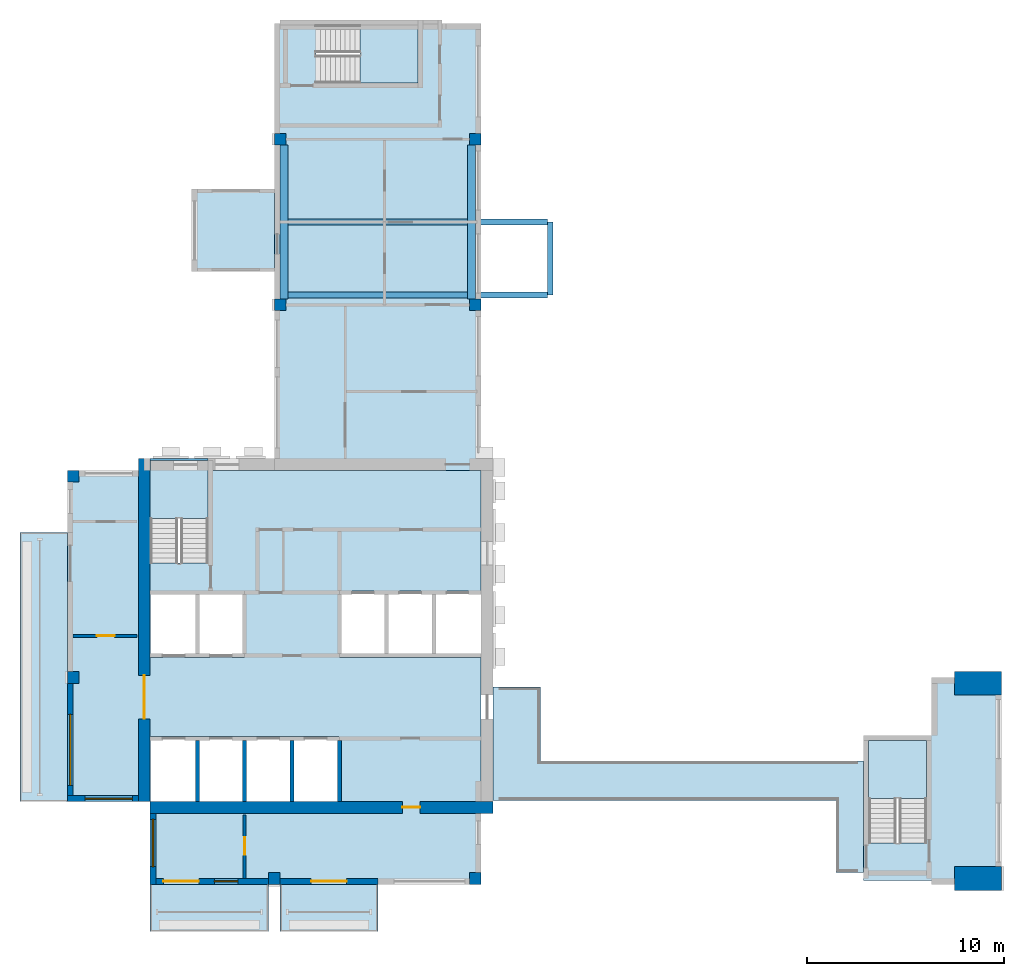
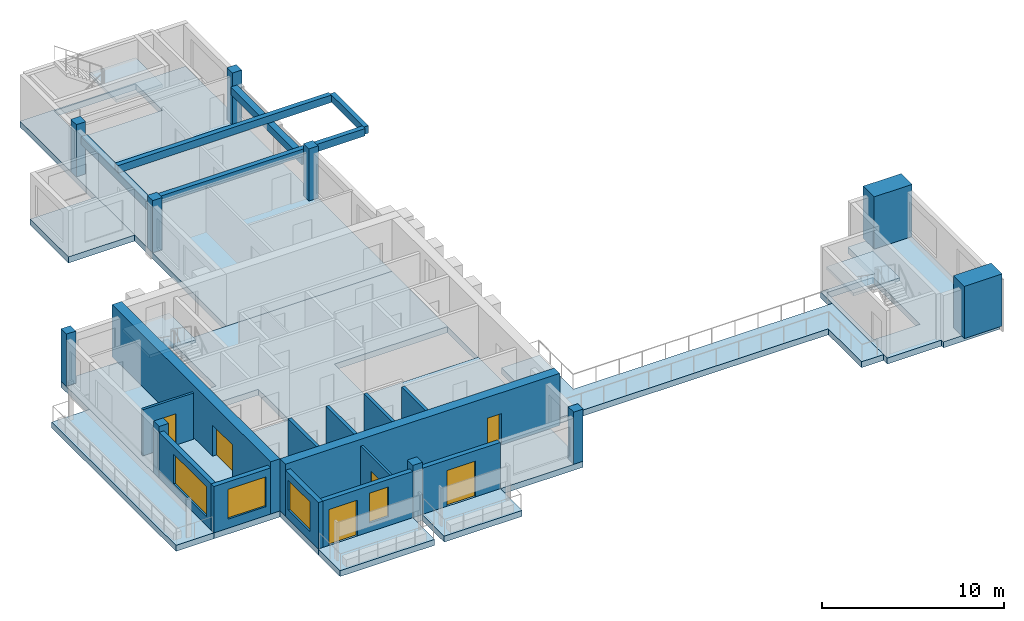
# One storey, part 1 of 8: 13 walls, 12 slabs, 10 columns, 6 doors, 5 beams, 4 windows, 10 openings, 3 elements without a shape of their own.
"""IFC4 building model written with IfcOpenShell, lengths in metres."""

from ifc_helpers import new_model, si_unit, direction, frame, frame_2d, origin, origin_2d, place, context, subcontext, project, spatial, polyline, rectangle, outline, extrude, source, transform, mapped, material, layer, layer_set, material_profile, profile_set, type_object, element, fill, aggregate, save


model = new_model("IFC4")

# Units and contexts
model_context = context("Model", 3, precision=1e-05, world=origin(), true_north=direction((0.0, 1.0)))
body_context = subcontext(model_context, "Body", "Model", "MODEL_VIEW")
ifc_project = project(units=[si_unit("LENGTHUNIT", "METRE"), si_unit("AREAUNIT", "SQUARE_METRE"), si_unit("VOLUMEUNIT", "CUBIC_METRE"), si_unit("PLANEANGLEUNIT", "RADIAN"), si_unit("MASSUNIT", "GRAM", prefix="KILO")], contexts=[model_context])

# Site, building, storey
site_placement = place(None, origin())
site = spatial("IfcSite", under=ifc_project, at=site_placement, CompositionType="ELEMENT")
building_placement = place(site_placement, origin())
building = spatial("IfcBuilding", under=site, at=building_placement, Name="Aurelian Terraces", CompositionType="ELEMENT")
storey_placement = place(building_placement, frame((0.0, 0.0, 347.5)))
storey = spatial("IfcBuildingStorey", under=building, at=storey_placement, Name="L82", CompositionType="ELEMENT", Elevation=347.5)

# Columns
ifc_material_1 = material(Name="Concrete fc' 55 MPa", Category="concrete")
ifc_material_profile_1 = material_profile(ifc_material_1, rectangle(XDim=0.6, YDim=0.6, at=origin_2d()))
ifc_profile_set_1 = profile_set([ifc_material_profile_1], Name="Concrete fc' 55 MPa")
column_type_1 = type_object("IfcColumnType", Name="RC COLUMN 600X600 FC55", PredefinedType="COLUMN", material=ifc_profile_set_1)
shared_shape_1 = source(origin(), body_context, "Body", "SweptSolid", [
    extrude(rectangle(XDim=0.6, YDim=0.6, at=origin_2d()), origin(), (0.0, 0.0, 1.0), 3.5),
])
for number, where, z_axis, x_axis, name in (
    (1, (10.5, 0.3, 0.0), (0.0, 0.0, 1.0), (1.0, 0.0, 0.0), "Column 2/A L82"),
    (2, (20.7, 0.3, 0.0), (0.0, 0.0, 1.0), (1.0, 0.0, 0.0), "Column 3/A L82"),
    (3, (0.3, 10.5, 0.0), (0.0, 0.0, 1.0), (1.0, 0.0, 0.0), "Column 1/B L82"),
    (4, (0.3, 20.7, 0.0), (0.0, 0.0, 1.0), (1.0, 0.0, 0.0), "Column 1/C L82"),
    (5, (10.8, 29.4, 0.0), (0.0, 0.0, 1.0), (1.0, 0.0, 0.0), "Column 2/D L82"),
    (6, (20.7, 29.4, 0.0), (0.0, 0.0, 1.0), (1.0, 0.0, 0.0), "Column 3/D L82"),
    (7, (10.8, 37.8, 0.0), (0.0, 0.0, 1.0), (1.0, 0.0, 0.0), "Column 2/E L82"),
    (8, (20.7, 37.8, 0.0), (0.0, 0.0, 1.0), (1.0, 0.0, 0.0), "Column 3/E L82"),
):
    element("IfcColumn", number, at=place(storey_placement, frame(where, z_axis=z_axis, x_axis=x_axis)), inside=storey, type_object=column_type_1, Name=name, PredefinedType="COLUMN", context=body_context, shape_type="MappedRepresentation", body=[
        mapped(shared_shape_1, transform((0.0, 0.0, 0.0), scale=1.0)),
    ])
ifc_material_profile_2 = material_profile(ifc_material_1, rectangle(XDim=2.4, YDim=1.2, at=origin_2d()))
ifc_profile_set_2 = profile_set([ifc_material_profile_2], Name="Concrete fc' 55 MPa")
column_type_2 = type_object("IfcColumnType", Name="Portal jamb pilaster 2400x1200", PredefinedType="PILASTER", material=ifc_profile_set_2)
shared_shape_2 = source(origin(), body_context, "Body", "SweptSolid", [
    extrude(rectangle(XDim=2.4, YDim=1.2, at=origin_2d()), origin(), (0.0, 0.0, 1.0), 3.5),
])
for number, where, z_axis, x_axis, name in (
    (9, (46.2, 0.3, 0.0), (0.0, 0.0, 1.0), (1.0, 0.0, 0.0), "Column 6/A L82"),
    (10, (46.2, 10.2, 0.0), (0.0, 0.0, 1.0), (1.0, 0.0, 0.0), "Column 6/B L82"),
):
    element("IfcColumn", number, at=place(storey_placement, frame(where, z_axis=z_axis, x_axis=x_axis)), inside=storey, type_object=column_type_2, Name=name, PredefinedType="PILASTER", context=body_context, shape_type="MappedRepresentation", body=[
        mapped(shared_shape_2, transform((0.0, 0.0, 0.0), scale=1.0)),
    ])

# Beams
ifc_material_2 = material(Name="Concrete fc' 40 MPa", Category="concrete")
ifc_material_profile_3 = material_profile(ifc_material_2, rectangle(XDim=0.3, YDim=0.5, at=origin_2d()))
ifc_profile_set_3 = profile_set([ifc_material_profile_3], Name="Concrete fc' 40 MPa")
beam_type_1 = type_object("IfcBeamType", Name="CONCRETE CANTILEVER BEAM 300X500", PredefinedType="BEAM", material=ifc_profile_set_3)
beam_placement = place(storey_placement, frame((24.5, 29.9, 2.85), z_axis=(0.0, 1.0, 0.0), x_axis=(-1.0, 0.0, 0.0)))
element("IfcBeam", 11, at=beam_placement, inside=storey, type_object=beam_type_1, Name="Box tip beam J96", PredefinedType="BEAM", context=body_context, shape_type="SweptSolid", body=[
    extrude(rectangle(XDim=0.3, YDim=0.5, at=origin_2d()), origin(), (0.0, 0.0, 1.0), 3.7),
])
shared_shape_3 = source(origin(), body_context, "Body", "SweptSolid", [
    extrude(rectangle(XDim=0.3, YDim=0.5, at=origin_2d()), origin(), (0.0, 0.0, 1.0), 13.55),
])
for number, where, z_axis, x_axis, name in (
    (12, (24.35, 29.9, 2.85), (-1.0, 0.0, 0.0), (0.0, -1.0, 0.0), "Box cantilever beam J96.1"),
    (13, (24.35, 33.6, 2.85), (-1.0, 0.0, 0.0), (0.0, -1.0, 0.0), "Box cantilever beam J96.2"),
):
    element("IfcBeam", number, at=place(storey_placement, frame(where, z_axis=z_axis, x_axis=x_axis)), inside=storey, type_object=beam_type_1, Name=name, PredefinedType="BEAM", context=body_context, shape_type="MappedRepresentation", body=[
        mapped(shared_shape_3, transform((0.0, 0.0, 0.0), scale=1.0)),
    ])
ifc_material_profile_4 = material_profile(ifc_material_2, rectangle(XDim=0.4, YDim=0.5, at=origin_2d()))
ifc_profile_set_4 = profile_set([ifc_material_profile_4], Name="Concrete fc' 40 MPa")
beam_type_2 = type_object("IfcBeamType", Name="CONCRETE EDGE GIRDER 400X500", PredefinedType="BEAM", material=ifc_profile_set_4)
shared_shape_4 = source(origin(), body_context, "Body", "SweptSolid", [
    extrude(rectangle(XDim=0.4, YDim=0.5, at=origin_2d()), origin(), (0.0, 0.0, 1.0), 7.8),
])
for number, where, z_axis, x_axis, name in (
    (14, (20.5, 29.7, 2.35), (0.0, 1.0, 0.0), (-1.0, 0.0, 0.0), "Box girder L82 O185"),
    (15, (11.0, 29.7, 2.35), (0.0, 1.0, 0.0), (-1.0, 0.0, 0.0), "Box girder L82 I186"),
):
    element("IfcBeam", number, at=place(storey_placement, frame(where, z_axis=z_axis, x_axis=x_axis)), inside=storey, type_object=beam_type_2, Name=name, PredefinedType="BEAM", context=body_context, shape_type="MappedRepresentation", body=[
        mapped(shared_shape_4, transform((0.0, 0.0, 0.0), scale=1.0)),
    ])

# Slabs
ifc_layer_1 = layer(ifc_material_2, 0.4)
ifc_layer_set_1 = layer_set([ifc_layer_1], Name="Balcony slab 400")
slab_type_1 = type_object("IfcSlabType", Name="Balcony slab 400", PredefinedType="NOTDEFINED", material=ifc_layer_set_1)
slab_1_placement = place(storey_placement, frame((0.0, 0.0, -0.4)))
element("IfcSlab", 16, at=slab_1_placement, inside=storey, type_object=slab_type_1, Name="Balcony slab L82 F01.2", PredefinedType="NOTDEFINED", context=body_context, shape_type="SweptSolid", body=[
    extrude(outline(polyline([(10.8, 0.0), (15.75, 0.0), (15.75, -2.4), (10.8, -2.4), (10.8, 0.0)])), origin(), (0.0, 0.0, 1.0), 0.4),
])
ifc_layer_2 = layer(ifc_material_2, 0.4001)
ifc_layer_set_2 = layer_set([ifc_layer_2], Name="Terrace slab 400")
slab_type_2 = type_object("IfcSlabType", Name="Terrace slab 400", PredefinedType="NOTDEFINED", material=ifc_layer_set_2)
slab_2_placement = place(storey_placement, frame((0.0, 0.0, -0.4001)))
element("IfcSlab", 17, at=slab_2_placement, inside=storey, type_object=slab_type_2, Name="Sky bridge L82 PORTAL-B82", PredefinedType="NOTDEFINED", context=body_context, shape_type="SweptSolid", body=[
    extrude(outline(polyline([(40.4, 0.6), (39.0, 0.6), (39.0, 4.25), (24.0, 4.25), (21.6, 4.25), (21.6, 6.25), (21.6, 10.0), (24.0, 10.0), (24.0, 6.25), (39.0, 6.25), (40.4, 6.25), (40.4, 4.25), (40.4, 0.6)])), origin(), (0.0, 0.0, 1.0), 0.4001),
])
ifc_layer_3 = layer(ifc_material_2, 0.4)
ifc_layer_set_3 = layer_set([ifc_layer_3], Name="PT FLAT PLATE 400")
slab_type_3 = type_object("IfcSlabType", Name="PT FLAT PLATE 400", PredefinedType="FLOOR", material=ifc_layer_set_3)
shared_shape_5 = source(origin(), body_context, "Body", "SweptSolid", [
    extrude(outline(polyline([(10.5, 43.68), (14.7, 43.68), (16.8, 43.68), (21.0, 43.68), (21.0, 21.0), (10.5, 21.0), (10.5, 43.68)]), holes=[polyline([(17.79, 43.59), (12.61, 43.59), (12.61, 40.66), (17.79, 40.66), (17.79, 43.59)])]), origin(), (0.0, 0.0, 1.0), 0.4),
])
slab_3_placement = place(storey_placement, frame((0.0, 0.0, -0.4)))
element("IfcSlab", 18, at=slab_3_placement, inside=storey, type_object=slab_type_3, Name="Floor slab W L82", PredefinedType="FLOOR", context=body_context, shape_type="MappedRepresentation", body=[
    mapped(shared_shape_5, transform((0.0, 0.0, 0.0), scale=1.0)),
])
shared_shape_6 = source(origin(), body_context, "Body", "SweptSolid", [
    extrude(outline(polyline([(4.2, 21.0), (4.2, 21.6), (7.15, 21.6), (7.15, 21.0), (7.14, 21.0), (7.14, 21.49), (4.21, 21.49), (4.21, 21.0), (4.2, 21.0)])), origin(), (0.0, 0.0, 1.0), 0.4),
])
slab_4_placement = place(storey_placement, frame((0.0, 0.0, -0.4)))
element("IfcSlab", 19, at=slab_4_placement, inside=storey, type_object=slab_type_3, Name="Floor slab W2 L82", PredefinedType="FLOOR", context=body_context, shape_type="MappedRepresentation", body=[
    mapped(shared_shape_6, transform((0.0, 0.0, 0.0), scale=1.0)),
])
shared_shape_7 = source(origin(), body_context, "Body", "SweptSolid", [
    extrude(outline(polyline([(0.0, 4.2), (0.0, 10.5), (0.0, 21.0), (4.21, 21.0), (4.21, 16.31), (7.14, 16.31), (7.14, 21.0), (21.0, 21.0), (21.0, 10.5), (21.0, 0.0), (4.2, 0.0), (4.2, 4.2), (0.0, 4.2)]), holes=[polyline([(13.81, 14.89), (13.81, 11.51), (20.99, 11.51), (20.99, 14.89), (13.81, 14.89)]), polyline([(4.21, 7.49), (4.21, 4.21), (13.79, 4.21), (13.79, 7.49), (4.21, 7.49)]), polyline([(8.99, 11.51), (8.99, 14.89), (4.21, 14.89), (4.21, 11.51), (8.99, 11.51)])]), origin(), (0.0, 0.0, 1.0), 0.4),
])
slab_5_placement = place(storey_placement, frame((0.0, 0.0, -0.4)))
element("IfcSlab", 20, at=slab_5_placement, inside=storey, type_object=slab_type_3, Name="Floor slab S L82", PredefinedType="FLOOR", context=body_context, shape_type="MappedRepresentation", body=[
    mapped(shared_shape_7, transform((0.0, 0.0, 0.0), scale=1.0)),
])
shared_shape_8 = source(origin(), body_context, "Body", "SweptSolid", [
    extrude(outline(polyline([(43.85, 7.55), (43.85, 10.5), (47.4, 10.5), (47.4, 0.0), (43.85, 0.0), (43.85, 0.2), (40.4, 0.2), (40.4, 7.55), (43.85, 7.55)]), holes=[polyline([(40.66, 2.11), (43.59, 2.11), (43.59, 7.29), (40.66, 7.29), (40.66, 2.11)])]), origin(), (0.0, 0.0, 1.0), 0.4),
])
slab_6_placement = place(storey_placement, frame((0.0, 0.0, -0.4)))
element("IfcSlab", 21, at=slab_6_placement, inside=storey, type_object=slab_type_3, Name="Floor slab S2 L82", PredefinedType="FLOOR", context=body_context, shape_type="MappedRepresentation", body=[
    mapped(shared_shape_8, transform((0.0, 0.0, 0.0), scale=1.0)),
])
shared_shape_9 = source(origin(), body_context, "Body", "SweptSolid", [
    extrude(outline(polyline([(0.0, 17.85), (0.0, 4.2), (-2.4, 4.2), (-2.4, 17.85), (0.0, 17.85)])), origin(), (0.0, 0.0, 1.0), 0.4),
])
slab_7_placement = place(storey_placement, frame((0.0, 0.0, -0.4)))
element("IfcSlab", 22, at=slab_7_placement, inside=storey, type_object=slab_type_1, Name="Balcony slab L82 F10.18", PredefinedType="NOTDEFINED", context=body_context, shape_type="MappedRepresentation", body=[
    mapped(shared_shape_9, transform((0.0, 0.0, 0.0), scale=1.0)),
])
ifc_layer_4 = layer(ifc_material_2, 0.41)
ifc_layer_set_4 = layer_set([ifc_layer_4], Name="Box floor 410")
slab_type_4 = type_object("IfcSlabType", Name="Box floor 410", PredefinedType="NOTDEFINED", material=ifc_layer_set_4)
shared_shape_10 = source(origin(), body_context, "Body", "SweptSolid", [
    extrude(outline(polyline([(6.3, 35.28), (6.3, 31.08), (10.5, 31.08), (10.5, 35.28), (6.3, 35.28)])), origin(), (0.0, 0.0, 1.0), 0.41),
])
slab_8_placement = place(storey_placement, frame((0.0, 0.0, -0.41)))
element("IfcSlab", 23, at=slab_8_placement, inside=storey, type_object=slab_type_4, Name="Box floor L82 J95", PredefinedType="NOTDEFINED", context=body_context, shape_type="MappedRepresentation", body=[
    mapped(shared_shape_10, transform((0.0, 0.0, 0.0), scale=1.0)),
])
shared_shape_11 = source(origin(), body_context, "Body", "SweptSolid", [
    extrude(outline(polyline([(4.2, 0.0), (10.2, 0.0), (10.2, -2.4), (4.2, -2.4), (4.2, 0.0)])), origin(), (0.0, 0.0, 1.0), 0.4),
])
slab_9_placement = place(storey_placement, frame((0.0, 0.0, -0.4)))
element("IfcSlab", 24, at=slab_9_placement, inside=storey, type_object=slab_type_1, Name="Balcony slab L82 F01.1", PredefinedType="NOTDEFINED", context=body_context, shape_type="MappedRepresentation", body=[
    mapped(shared_shape_11, transform((0.0, 0.0, 0.0), scale=1.0)),
])

# Stair, slab
stair_type = type_object("IfcStairType", Name="Stair 1400", PredefinedType="HALF_TURN_STAIR", material=ifc_material_2)
stair_1_placement = place(storey_placement, origin())
stair_1 = element("IfcStair", 25, at=stair_1_placement, inside=storey, type_object=stair_type, Name="L82 S1", PredefinedType="HALF_TURN_STAIR")
ifc_layer_5 = layer(ifc_material_2, 0.2)
ifc_layer_set_5 = layer_set([ifc_layer_5], Name="Stair landing 200")
slab_type_5 = type_object("IfcSlabType", Name="Stair landing 200", PredefinedType="LANDING", material=ifc_layer_set_5)
shared_shape_12 = source(origin(), body_context, "Body", "SweptSolid", [
    extrude(outline(polyline([(7.15, 18.55), (7.15, 21.5), (4.2, 21.5), (4.2, 18.55), (7.15, 18.55)])), origin(), (0.0, 0.0, 1.0), 0.2),
])
slab_10_placement = place(storey_placement, frame((0.0, 0.0, 1.55)))
slab_10 = element("IfcSlab", 26, at=slab_10_placement, type_object=slab_type_5, Name="S1 landing 1", PredefinedType="LANDING", context=body_context, shape_type="MappedRepresentation", body=[
    mapped(shared_shape_12, transform((0.0, 0.0, 0.0), scale=1.0)),
])
aggregate(stair_1, [slab_10])

stair_2_placement = place(storey_placement, origin())
stair_2 = element("IfcStair", 27, at=stair_2_placement, inside=storey, type_object=stair_type, Name="L82 S2", PredefinedType="HALF_TURN_STAIR")
shared_shape_13 = source(origin(), body_context, "Body", "SweptSolid", [
    extrude(outline(polyline([(43.6, 4.35), (43.6, 7.3), (40.65, 7.3), (40.65, 4.35), (43.6, 4.35)])), origin(), (0.0, 0.0, 1.0), 0.2),
])
slab_11_placement = place(storey_placement, frame((0.0, 0.0, 1.55)))
slab_11 = element("IfcSlab", 28, at=slab_11_placement, type_object=slab_type_5, Name="S2 landing 1", PredefinedType="LANDING", context=body_context, shape_type="MappedRepresentation", body=[
    mapped(shared_shape_13, transform((0.0, 0.0, 0.0), scale=1.0)),
])
aggregate(stair_2, [slab_11])

stair_3_placement = place(storey_placement, origin())
stair_3 = element("IfcStair", 29, at=stair_3_placement, inside=storey, type_object=stair_type, Name="L82 S3U", PredefinedType="HALF_TURN_STAIR")
shared_shape_14 = source(origin(), body_context, "Body", "SweptSolid", [
    extrude(outline(polyline([(14.85, 40.65), (17.8, 40.65), (17.8, 43.6), (14.85, 43.6), (14.85, 40.65)])), origin(), (0.0, 0.0, 1.0), 0.2),
])
slab_12_placement = place(storey_placement, frame((0.0, 0.0, 1.55)))
slab_12 = element("IfcSlab", 30, at=slab_12_placement, type_object=slab_type_5, Name="S3U landing 1", PredefinedType="LANDING", context=body_context, shape_type="MappedRepresentation", body=[
    mapped(shared_shape_14, transform((0.0, 0.0, 0.0), scale=1.0)),
])
aggregate(stair_3, [slab_12])

# Wall, opening, door
ifc_material_3 = material(Name="Terracotta rainscreen cladding", Category="masonry")
ifc_layer_6 = layer(ifc_material_3, 0.3)
ifc_layer_set_6 = layer_set([ifc_layer_6], Name="EW-300")
wall_type_1 = type_object("IfcWallType", Name="EW-300", PredefinedType="STANDARD", material=ifc_layer_set_6)
wall_1_placement = place(storey_placement, frame((10.8, 0.15, 0.0), z_axis=(0.0, 0.0, 1.0), x_axis=(1.0, 0.0, 0.0)))
wall_1 = element("IfcWall", 31, at=wall_1_placement, inside=storey, type_object=wall_type_1, Name="External wall L82 F01.2", PredefinedType="STANDARD", context=body_context, shape_type="SweptSolid", body=[
    extrude(rectangle(XDim=4.95, YDim=0.3, at=frame_2d((2.475, 0.0))), origin(), (0.0, 0.0, 1.0), 3.1),
])
shared_shape_15 = source(origin(), body_context, "Body", "SweptSolid", [
    extrude(rectangle(XDim=1.8, YDim=2.4, at=frame_2d((0.9, 1.2))), frame((0.0, 0.16, 0.0), z_axis=(0.0, -1.0, 0.0), x_axis=(1.0, 0.0, 0.0)), (0.0, 0.0, 1.0), 0.32),
])
opening_1_placement = place(wall_1_placement, frame((1.575, 0.0, 0.0)))
opening_1 = element("IfcOpeningElement", 32, at=opening_1_placement, cuts=wall_1, Name="Opening 88202", PredefinedType="OPENING", context=body_context, shape_type="MappedRepresentation", body=[
    mapped(shared_shape_15, transform((0.0, 0.0, 0.0), scale=1.0)),
])
ifc_material_4 = material(Name="Clear glazing", Category="glass")
door_type_1 = type_object("IfcDoorType", Name="BD-1800x2400", OperationType="SLIDING_TO_LEFT", PredefinedType="DOOR", material=ifc_material_4)
shared_shape_16 = source(origin(), body_context, "Body", "SweptSolid", [
    extrude(rectangle(XDim=1.8, YDim=2.4, at=frame_2d((0.9, 1.2))), frame((0.0, 0.025, 0.0), z_axis=(0.0, -1.0, 0.0), x_axis=(1.0, 0.0, 0.0)), (0.0, 0.0, 1.0), 0.05),
])
door_1_placement = place(opening_1_placement, origin())
door_1 = element("IfcDoor", 33, at=door_1_placement, inside=storey, type_object=door_type_1, Name="Balcony door L82 F01.2", OperationType="SLIDING_TO_LEFT", OverallHeight=2.4, OverallWidth=1.8, PredefinedType="DOOR", context=body_context, shape_type="MappedRepresentation", body=[
    mapped(shared_shape_16, transform((0.0, 0.0, 0.0), scale=1.0)),
])
fill(opening_1, door_1)

ifc_layer_7 = layer(ifc_material_1, 0.6)
ifc_layer_set_7 = layer_set([ifc_layer_7], Name="CORE WALL 600 FC55")
wall_type_2 = type_object("IfcWallType", Name="CORE WALL 600 FC55", PredefinedType="SHEAR", material=ifc_layer_set_7)
shared_shape_17 = source(origin(), body_context, "Body", "SweptSolid", [
    extrude(rectangle(XDim=17.4, YDim=0.6, at=frame_2d((8.7, 0.0))), origin(), (0.0, 0.0, 1.0), 3.5),
])
wall_2_placement = place(storey_placement, frame((3.9, 4.2, 0.0), z_axis=(0.0, 0.0, 1.0), x_axis=(0.0, 1.0, 0.0)))
wall_2 = element("IfcWall", 34, at=wall_2_placement, inside=storey, type_object=wall_type_2, Name="Core wall W L82", PredefinedType="SHEAR", context=body_context, shape_type="MappedRepresentation", body=[
    mapped(shared_shape_17, transform((0.0, 0.0, 0.0), scale=1.0)),
])
shared_shape_18 = source(origin(), body_context, "Body", "SweptSolid", [
    extrude(rectangle(XDim=2.2, YDim=2.1, at=frame_2d((1.1, 1.05))), frame((0.0, 0.31, 0.0), z_axis=(0.0, -1.0, 0.0), x_axis=(1.0, 0.0, 0.0)), (0.0, 0.0, 1.0), 0.62),
])
opening_2_placement = place(wall_2_placement, frame((4.2, 0.0, 0.0)))
opening_2 = element("IfcOpeningElement", 35, at=opening_2_placement, cuts=wall_2, Name="Opening 68521", PredefinedType="OPENING", context=body_context, shape_type="MappedRepresentation", body=[
    mapped(shared_shape_18, transform((0.0, 0.0, 0.0), scale=1.0)),
])
ifc_material_5 = material(Name="Steel door leaf", Category="steel")
door_type_2 = type_object("IfcDoorType", Name="Core double door 2200x2100", OperationType="DOUBLE_DOOR_SINGLE_SWING", PredefinedType="DOOR", material=ifc_material_5)
shared_shape_19 = source(origin(), body_context, "Body", "SweptSolid", [
    extrude(rectangle(XDim=2.2, YDim=2.1, at=frame_2d((1.1, 1.05))), frame((0.0, 0.025, 0.0), z_axis=(0.0, -1.0, 0.0), x_axis=(1.0, 0.0, 0.0)), (0.0, 0.0, 1.0), 0.05),
])
door_2_placement = place(opening_2_placement, origin())
door_2 = element("IfcDoor", 36, at=door_2_placement, inside=storey, type_object=door_type_2, Name="Core door 68521", OperationType="DOUBLE_DOOR_SINGLE_SWING", OverallHeight=2.1, OverallWidth=2.2, PredefinedType="DOOR", context=body_context, shape_type="MappedRepresentation", body=[
    mapped(shared_shape_19, transform((0.0, 0.0, 0.0), scale=1.0)),
])
fill(opening_2, door_2)

wall_3_placement = place(storey_placement, frame((4.2, 3.9, 0.0), z_axis=(0.0, 0.0, 1.0), x_axis=(1.0, 0.0, 0.0)))
wall_3 = element("IfcWall", 37, at=wall_3_placement, inside=storey, type_object=wall_type_2, Name="Core wall S L82", PredefinedType="SHEAR", context=body_context, shape_type="MappedRepresentation", body=[
    mapped(shared_shape_17, transform((0.0, 0.0, 0.0), scale=1.0)),
])
shared_shape_20 = source(origin(), body_context, "Body", "SweptSolid", [
    extrude(rectangle(XDim=0.9, YDim=2.1, at=frame_2d((0.45, 1.05))), frame((0.0, 0.31, 0.0), z_axis=(0.0, -1.0, 0.0), x_axis=(1.0, 0.0, 0.0)), (0.0, 0.0, 1.0), 0.62),
])
opening_3_placement = place(wall_3_placement, frame((12.8, 0.0, 0.0)))
opening_3 = element("IfcOpeningElement", 38, at=opening_3_placement, cuts=wall_3, Name="Opening 68524", PredefinedType="OPENING", context=body_context, shape_type="MappedRepresentation", body=[
    mapped(shared_shape_20, transform((0.0, 0.0, 0.0), scale=1.0)),
])
door_type_3 = type_object("IfcDoorType", Name="Core service door 900x2100", OperationType="SINGLE_SWING_LEFT", PredefinedType="DOOR", material=ifc_material_5)
shared_shape_21 = source(origin(), body_context, "Body", "SweptSolid", [
    extrude(rectangle(XDim=0.9, YDim=2.1, at=frame_2d((0.45, 1.05))), frame((0.0, 0.025, 0.0), z_axis=(0.0, -1.0, 0.0), x_axis=(1.0, 0.0, 0.0)), (0.0, 0.0, 1.0), 0.05),
])
door_3_placement = place(opening_3_placement, origin())
door_3 = element("IfcDoor", 39, at=door_3_placement, inside=storey, type_object=door_type_3, Name="Core door 68524", OperationType="SINGLE_SWING_LEFT", OverallHeight=2.1, OverallWidth=0.9, PredefinedType="DOOR", context=body_context, shape_type="MappedRepresentation", body=[
    mapped(shared_shape_21, transform((0.0, 0.0, 0.0), scale=1.0)),
])
fill(opening_3, door_3)

# Wall, opening, window
shared_shape_22 = source(origin(), body_context, "Body", "SweptSolid", [
    extrude(rectangle(XDim=3.6, YDim=0.3, at=frame_2d((1.8, 0.0))), origin(), (0.0, 0.0, 1.0), 3.1),
])
wall_4_placement = place(storey_placement, frame((0.0, 4.35, 0.0), z_axis=(0.0, 0.0, 1.0), x_axis=(1.0, 0.0, 0.0)))
wall_4 = element("IfcWall", 40, at=wall_4_placement, inside=storey, type_object=wall_type_1, Name="External wall L82 F11.19", PredefinedType="STANDARD", context=body_context, shape_type="MappedRepresentation", body=[
    mapped(shared_shape_22, transform((0.0, 0.0, 0.0), scale=1.0)),
])
shared_shape_23 = source(origin(), body_context, "Body", "SweptSolid", [
    extrude(rectangle(XDim=2.4, YDim=2.0, at=frame_2d((1.2, 1.0))), frame((0.0, 0.16, 0.0), z_axis=(0.0, -1.0, 0.0), x_axis=(1.0, 0.0, 0.0)), (0.0, 0.0, 1.0), 0.32),
])
opening_4_placement = place(wall_4_placement, frame((0.9, 0.0, 0.6)))
opening_4 = element("IfcOpeningElement", 41, at=opening_4_placement, cuts=wall_4, Name="Opening W2420", PredefinedType="OPENING", context=body_context, shape_type="MappedRepresentation", body=[
    mapped(shared_shape_23, transform((0.0, 0.0, 0.0), scale=1.0)),
])
window_type_1 = type_object("IfcWindowType", Name="W-2400x2000", PartitioningType="SINGLE_PANEL", PredefinedType="WINDOW", material=ifc_material_4)
shared_shape_24 = source(origin(), body_context, "Body", "SweptSolid", [
    extrude(rectangle(XDim=2.4, YDim=2.0, at=frame_2d((1.2, 1.0))), frame((0.0, 0.03, 0.0), z_axis=(0.0, -1.0, 0.0), x_axis=(1.0, 0.0, 0.0)), (0.0, 0.0, 1.0), 0.06),
])
window_1_placement = place(opening_4_placement, origin())
window_1 = element("IfcWindow", 42, at=window_1_placement, inside=storey, type_object=window_type_1, Name="Window L82 L82-F11-19-0", OverallHeight=2.0, OverallWidth=2.4, PartitioningType="SINGLE_PANEL", PredefinedType="WINDOW", context=body_context, shape_type="MappedRepresentation", body=[
    mapped(shared_shape_24, transform((0.0, 0.0, 0.0), scale=1.0)),
])
fill(opening_4, window_1)

wall_5_placement = place(storey_placement, frame((4.35, 3.6, 0.0), z_axis=(0.0, 0.0, 1.0), x_axis=(0.0, -1.0, 0.0)))
wall_5 = element("IfcWall", 43, at=wall_5_placement, inside=storey, type_object=wall_type_1, Name="External wall L82 F12.20", PredefinedType="STANDARD", context=body_context, shape_type="MappedRepresentation", body=[
    mapped(shared_shape_22, transform((0.0, 0.0, 0.0), scale=1.0)),
])
opening_5_placement = place(wall_5_placement, frame((0.3, 0.0, 0.6)))
opening_5 = element("IfcOpeningElement", 44, at=opening_5_placement, cuts=wall_5, Name="Opening W2420", PredefinedType="OPENING", context=body_context, shape_type="MappedRepresentation", body=[
    mapped(shared_shape_23, transform((0.0, 0.0, 0.0), scale=1.0)),
])
window_2_placement = place(opening_5_placement, origin())
window_2 = element("IfcWindow", 45, at=window_2_placement, inside=storey, type_object=window_type_1, Name="Window L82 L82-F12-20-0", OverallHeight=2.0, OverallWidth=2.4, PartitioningType="SINGLE_PANEL", PredefinedType="WINDOW", context=body_context, shape_type="MappedRepresentation", body=[
    mapped(shared_shape_24, transform((0.0, 0.0, 0.0), scale=1.0)),
])
fill(opening_5, window_2)

# Wall, openings, door, window
shared_shape_25 = source(origin(), body_context, "Body", "SweptSolid", [
    extrude(rectangle(XDim=6.0, YDim=0.3, at=frame_2d((3.0, 0.0))), origin(), (0.0, 0.0, 1.0), 3.1),
])
wall_6_placement = place(storey_placement, frame((4.2, 0.15, 0.0), z_axis=(0.0, 0.0, 1.0), x_axis=(1.0, 0.0, 0.0)))
wall_6 = element("IfcWall", 46, at=wall_6_placement, inside=storey, type_object=wall_type_1, Name="External wall L82 F01.1", PredefinedType="STANDARD", context=body_context, shape_type="MappedRepresentation", body=[
    mapped(shared_shape_25, transform((0.0, 0.0, 0.0), scale=1.0)),
])
opening_6_placement = place(wall_6_placement, frame((0.675, 0.0, 0.0)))
opening_6 = element("IfcOpeningElement", 47, at=opening_6_placement, cuts=wall_6, Name="Opening 88201", PredefinedType="OPENING", context=body_context, shape_type="MappedRepresentation", body=[
    mapped(shared_shape_15, transform((0.0, 0.0, 0.0), scale=1.0)),
])
shared_shape_26 = source(origin(), body_context, "Body", "SweptSolid", [
    extrude(rectangle(XDim=1.2, YDim=2.0, at=frame_2d((0.6, 1.0))), frame((0.0, 0.16, 0.0), z_axis=(0.0, -1.0, 0.0), x_axis=(1.0, 0.0, 0.0)), (0.0, 0.0, 1.0), 0.32),
])
opening_7_placement = place(wall_6_placement, frame((3.2562, 0.0, 0.6)))
opening_7 = element("IfcOpeningElement", 48, at=opening_7_placement, cuts=wall_6, Name="Opening W1220", PredefinedType="OPENING", context=body_context, shape_type="MappedRepresentation", body=[
    mapped(shared_shape_26, transform((0.0, 0.0, 0.0), scale=1.0)),
])
door_4_placement = place(opening_6_placement, origin())
door_4 = element("IfcDoor", 49, at=door_4_placement, inside=storey, type_object=door_type_1, Name="Balcony door L82 F01.1", OperationType="SLIDING_TO_LEFT", OverallHeight=2.4, OverallWidth=1.8, PredefinedType="DOOR", context=body_context, shape_type="MappedRepresentation", body=[
    mapped(shared_shape_16, transform((0.0, 0.0, 0.0), scale=1.0)),
])
fill(opening_6, door_4)
window_type_2 = type_object("IfcWindowType", Name="W-1200x2000", PartitioningType="SINGLE_PANEL", PredefinedType="WINDOW", material=ifc_material_4)
shared_shape_27 = source(origin(), body_context, "Body", "SweptSolid", [
    extrude(rectangle(XDim=1.2, YDim=2.0, at=frame_2d((0.6, 1.0))), frame((0.0, 0.03, 0.0), z_axis=(0.0, -1.0, 0.0), x_axis=(1.0, 0.0, 0.0)), (0.0, 0.0, 1.0), 0.06),
])
window_3_placement = place(opening_7_placement, origin())
window_3 = element("IfcWindow", 50, at=window_3_placement, inside=storey, type_object=window_type_2, Name="Window L82 L82-F01-01-G0-26", OverallHeight=2.0, OverallWidth=1.2, PartitioningType="SINGLE_PANEL", PredefinedType="WINDOW", context=body_context, shape_type="MappedRepresentation", body=[
    mapped(shared_shape_27, transform((0.0, 0.0, 0.0), scale=1.0)),
])
fill(opening_7, window_3)

# Wall, opening, window
wall_7_placement = place(storey_placement, frame((0.15, 10.2, 0.0), z_axis=(0.0, 0.0, 1.0), x_axis=(0.0, -1.0, 0.0)))
wall_7 = element("IfcWall", 51, at=wall_7_placement, inside=storey, type_object=wall_type_1, Name="External wall L82 F10.18", PredefinedType="STANDARD", context=body_context, shape_type="MappedRepresentation", body=[
    mapped(shared_shape_25, transform((0.0, 0.0, 0.0), scale=1.0)),
])
shared_shape_28 = source(origin(), body_context, "Body", "SweptSolid", [
    extrude(rectangle(XDim=3.6, YDim=2.0, at=frame_2d((1.8, 1.0))), frame((0.0, 0.16, 0.0), z_axis=(0.0, -1.0, 0.0), x_axis=(1.0, 0.0, 0.0)), (0.0, 0.0, 1.0), 0.32),
])
opening_8_placement = place(wall_7_placement, frame((1.575, 0.0, 0.6)))
opening_8 = element("IfcOpeningElement", 52, at=opening_8_placement, cuts=wall_7, Name="Opening W3620", PredefinedType="OPENING", context=body_context, shape_type="MappedRepresentation", body=[
    mapped(shared_shape_28, transform((0.0, 0.0, 0.0), scale=1.0)),
])
window_type_3 = type_object("IfcWindowType", Name="W-3600x2000", PartitioningType="SINGLE_PANEL", PredefinedType="WINDOW", material=ifc_material_4)
shared_shape_29 = source(origin(), body_context, "Body", "SweptSolid", [
    extrude(rectangle(XDim=3.6, YDim=2.0, at=frame_2d((1.8, 1.0))), frame((0.0, 0.03, 0.0), z_axis=(0.0, -1.0, 0.0), x_axis=(1.0, 0.0, 0.0)), (0.0, 0.0, 1.0), 0.06),
])
window_4_placement = place(opening_8_placement, origin())
window_4 = element("IfcWindow", 53, at=window_4_placement, inside=storey, type_object=window_type_3, Name="Window L82 L82-F10-18-2", OverallHeight=2.0, OverallWidth=3.6, PartitioningType="SINGLE_PANEL", PredefinedType="WINDOW", context=body_context, shape_type="MappedRepresentation", body=[
    mapped(shared_shape_29, transform((0.0, 0.0, 0.0), scale=1.0)),
])
fill(opening_8, window_4)

# Walls
ifc_layer_8 = layer(ifc_material_2, 0.2)
ifc_layer_set_8 = layer_set([ifc_layer_8], Name="Lift shaft wall 200")
wall_type_3 = type_object("IfcWallType", Name="Lift shaft wall 200", PredefinedType="SOLIDWALL", material=ifc_layer_set_8)
shared_shape_30 = source(origin(), body_context, "Body", "SweptSolid", [
    extrude(rectangle(XDim=3.1, YDim=0.2, at=frame_2d((1.55, 0.0))), origin(), (0.0, 0.0, 1.0), 3.5),
])
for number, where, z_axis, x_axis, name in (
    (54, (6.6, 4.2, 0.0), (0.0, 0.0, 1.0), (0.0, 1.0, 0.0), "L82 core wall CD-A1"),
    (55, (9.0, 4.2, 0.0), (0.0, 0.0, 1.0), (0.0, 1.0, 0.0), "L82 core wall CD-A2"),
    (56, (11.4, 4.2, 0.0), (0.0, 0.0, 1.0), (0.0, 1.0, 0.0), "L82 core wall CD-A3"),
):
    element("IfcWall", number, at=place(storey_placement, frame(where, z_axis=z_axis, x_axis=x_axis)), inside=storey, type_object=wall_type_3, Name=name, PredefinedType="SOLIDWALL", context=body_context, shape_type="MappedRepresentation", body=[
        mapped(shared_shape_30, transform((0.0, 0.0, 0.0), scale=1.0)),
    ])
shared_shape_31 = source(origin(), body_context, "Body", "SweptSolid", [
    extrude(rectangle(XDim=3.1, YDim=0.2, at=frame_2d((1.55, 0.0))), origin(), (0.0, 0.0, 1.0), 3.1),
])
wall_8_placement = place(storey_placement, frame((13.8, 4.2, 0.0), z_axis=(0.0, 0.0, 1.0), x_axis=(0.0, 1.0, 0.0)))
element("IfcWall", 57, at=wall_8_placement, inside=storey, type_object=wall_type_3, Name="L82 core wall CD-A4", PredefinedType="SOLIDWALL", context=body_context, shape_type="MappedRepresentation", body=[
    mapped(shared_shape_31, transform((0.0, 0.0, 0.0), scale=1.0)),
])

# Wall, opening, door
ifc_material_6 = material(Name="Gypsum board on steel studs", Category="steel")
ifc_layer_9 = layer(ifc_material_6, 0.15)
ifc_layer_set_9 = layer_set([ifc_layer_9], Name="Partition 150")
wall_type_4 = type_object("IfcWallType", Name="Partition 150", PredefinedType="PARTITIONING", material=ifc_layer_set_9)
shared_shape_32 = source(origin(), body_context, "Body", "SweptSolid", [
    extrude(rectangle(XDim=3.225, YDim=0.15, at=frame_2d((1.6125, 0.0))), origin(), (0.0, 0.0, 1.0), 3.1),
])
wall_9_placement = place(storey_placement, frame((9.0, 3.525, 0.0), z_axis=(0.0, 0.0, 1.0), x_axis=(0.0, -1.0, 0.0)))
wall_9 = element("IfcWall", 58, at=wall_9_placement, inside=storey, type_object=wall_type_4, Name="Partition", PredefinedType="PARTITIONING", context=body_context, shape_type="MappedRepresentation", body=[
    mapped(shared_shape_32, transform((0.0, 0.0, 0.0), scale=1.0)),
])
shared_shape_33 = source(origin(), body_context, "Body", "SweptSolid", [
    extrude(rectangle(XDim=0.9, YDim=2.1, at=frame_2d((0.45, 1.05))), frame((0.0, 0.085, 0.0), z_axis=(0.0, -1.0, 0.0), x_axis=(1.0, 0.0, 0.0)), (0.0, 0.0, 1.0), 0.17),
])
opening_9_placement = place(wall_9_placement, frame((1.125, 0.0, 0.0)))
opening_9 = element("IfcOpeningElement", 59, at=opening_9_placement, cuts=wall_9, Name="Opening 782001", PredefinedType="OPENING", context=body_context, shape_type="MappedRepresentation", body=[
    mapped(shared_shape_33, transform((0.0, 0.0, 0.0), scale=1.0)),
])
ifc_material_7 = material(Name="Timber door leaf", Category="wood")
door_type_4 = type_object("IfcDoorType", Name="Room door 900x2100 right", OperationType="SINGLE_SWING_RIGHT", PredefinedType="DOOR", material=ifc_material_7)
door_5_placement = place(opening_9_placement, origin())
door_5 = element("IfcDoor", 60, at=door_5_placement, inside=storey, type_object=door_type_4, Name="Door 782001", OperationType="SINGLE_SWING_RIGHT", OverallHeight=2.1, OverallWidth=0.9, PredefinedType="DOOR", context=body_context, shape_type="MappedRepresentation", body=[
    mapped(shared_shape_21, transform((0.0, 0.0, 0.0), scale=1.0)),
])
fill(opening_9, door_5)

wall_10_placement = place(storey_placement, frame((0.3, 12.6, 0.0), z_axis=(0.0, 0.0, 1.0), x_axis=(1.0, 0.0, 0.0)))
wall_10 = element("IfcWall", 61, at=wall_10_placement, inside=storey, type_object=wall_type_4, Name="Partition", PredefinedType="PARTITIONING", context=body_context, shape_type="MappedRepresentation", body=[
    mapped(shared_shape_32, transform((0.0, 0.0, 0.0), scale=1.0)),
])
opening_10_placement = place(wall_10_placement, frame((1.2, 0.0, 0.0)))
opening_10 = element("IfcOpeningElement", 62, at=opening_10_placement, cuts=wall_10, Name="Opening 782002", PredefinedType="OPENING", context=body_context, shape_type="MappedRepresentation", body=[
    mapped(shared_shape_33, transform((0.0, 0.0, 0.0), scale=1.0)),
])
door_6_placement = place(opening_10_placement, origin())
door_6 = element("IfcDoor", 63, at=door_6_placement, inside=storey, type_object=door_type_4, Name="Door 782002", OperationType="SINGLE_SWING_RIGHT", OverallHeight=2.1, OverallWidth=0.9, PredefinedType="DOOR", context=body_context, shape_type="MappedRepresentation", body=[
    mapped(shared_shape_21, transform((0.0, 0.0, 0.0), scale=1.0)),
])
fill(opening_10, door_6)

save(model, "model.ifc")
